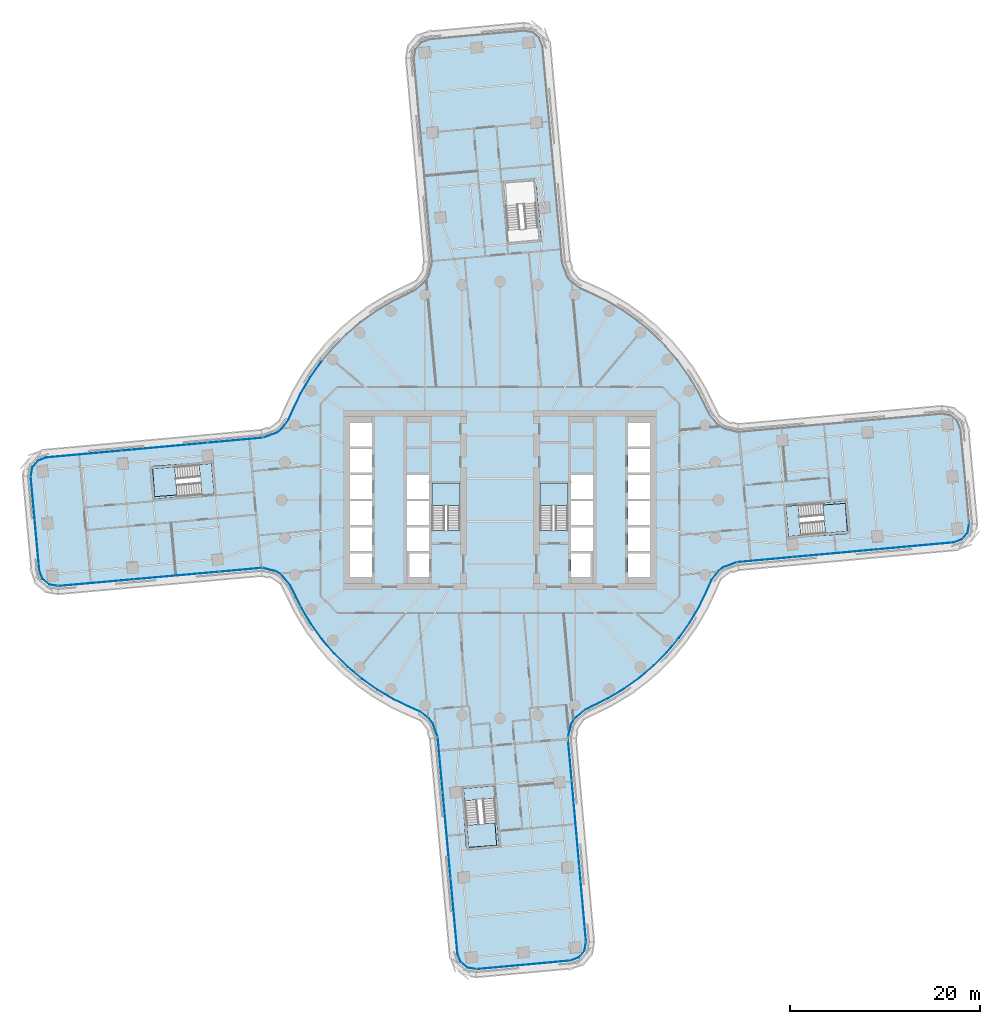
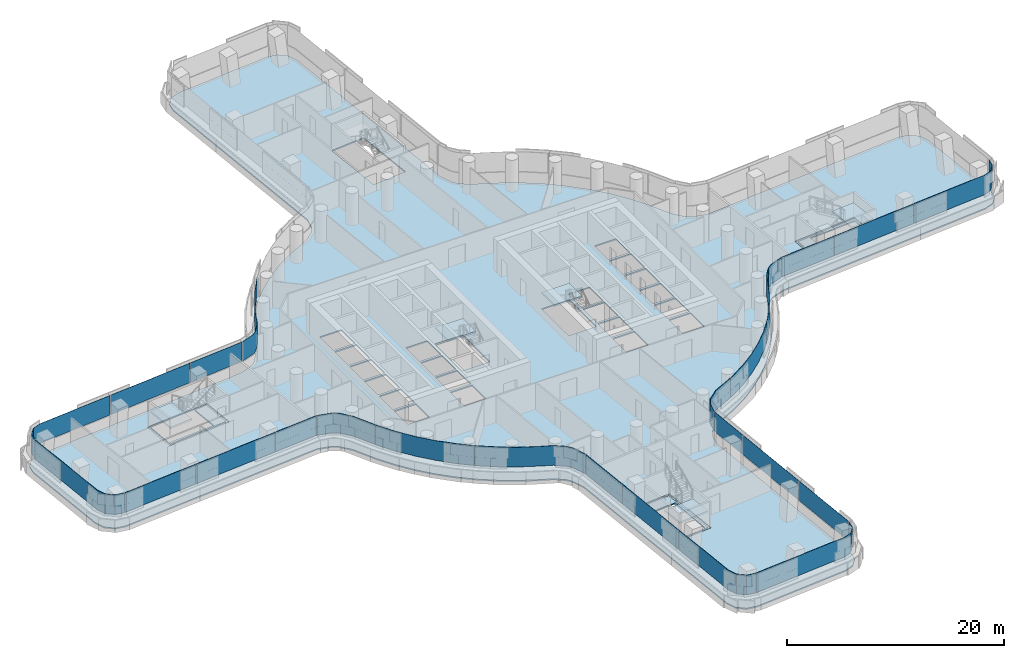
# One storey, part 17 of 31: 24 plates, 9 slabs, 15 elements without a shape of their own.
"""IFC4 building model written with IfcOpenShell, lengths in metres."""

from ifc_helpers import new_model, si_unit, direction, frame, origin, place, context, subcontext, project, spatial, polyline, outline, extrude, material, layer, layer_set, type_object, element, aggregate, save


model = new_model("IFC4")

# Units and contexts
model_context = context("Model", 3, precision=1e-05, world=origin(), true_north=direction((0.0, 1.0)))
body_context = subcontext(model_context, "Body", "Model", "MODEL_VIEW")
ifc_project = project(units=[si_unit("LENGTHUNIT", "METRE"), si_unit("AREAUNIT", "SQUARE_METRE"), si_unit("VOLUMEUNIT", "CUBIC_METRE"), si_unit("PLANEANGLEUNIT", "RADIAN"), si_unit("MASSUNIT", "GRAM", prefix="KILO")], contexts=[model_context])

# Site, building, storey
site_placement = place(None, origin())
site = spatial("IfcSite", under=ifc_project, at=site_placement, CompositionType="ELEMENT")
building_placement = place(site_placement, origin())
building = spatial("IfcBuilding", under=site, at=building_placement, Name="Tamarind Cross Interchange Tower", CompositionType="ELEMENT")
storey_placement = place(building_placement, frame((0.0, 0.0, 52.75)))
storey = spatial("IfcBuildingStorey", under=building, at=storey_placement, Name="L11", CompositionType="ELEMENT", Elevation=52.75)

# Slabs
ifc_material_1 = material(Name="Concrete C35", Category="concrete")
ifc_layer_1 = layer(ifc_material_1, 0.139892578125)
ifc_layer_set_1 = layer_set([ifc_layer_1], Name="Concrete C35")
slab_type_1 = type_object("IfcSlabType", Name="Composite slab 140 Concrete C35", PredefinedType="FLOOR", material=ifc_layer_set_1)
slab_1_placement = place(storey_placement, frame((0.0, 0.0, -0.139892578125)))
element("IfcSlab", 1, at=slab_1_placement, inside=storey, type_object=slab_type_1, Name="Floor slab L11", PredefinedType="FLOOR", context=body_context, shape_type="SweptSolid", body=[
    extrude(outline(polyline([(7.255615234375, 23.611328125), (6.753173828125, 25.02001953125), (4.669677734375, 47.806396484375), (4.311767578125, 48.778076171875), (3.51611328125, 49.440185546875), (2.495849609375, 49.6162109375), (-7.46240234375, 48.70556640625), (-8.43408203125, 48.34765625), (-9.09619140625, 47.552001953125), (-9.272216796875, 46.53173828125), (-7.35986328125, 25.053466796875), (-7.68408203125, 23.676513671875), (-8.008544921875, 23.151611328125), (-9.095703125, 22.24609375), (-9.7333984375, 21.93310546875), (-11.511474609375, 21.054443359375), (-13.2109375, 20.031982421875), (-14.820068359375, 18.87255859375), (-16.327880859375, 17.584228515625), (-17.72412109375, 16.17578125), (-18.99951171875, 14.656982421875), (-20.14501953125, 13.0380859375), (-21.15283203125, 11.329833984375), (-22.01611328125, 9.54443359375), (-22.444091796875, 8.55224609375), (-23.18310546875, 7.577880859375), (-23.611328125, 7.255615234375), (-25.02001953125, 6.753173828125), (-47.806396484375, 4.669677734375), (-48.778076171875, 4.311767578125), (-49.440185546875, 3.51611328125), (-49.6162109375, 2.495849609375), (-48.70556640625, -7.46240234375), (-48.34765625, -8.43408203125), (-47.552001953125, -9.09619140625), (-46.53173828125, -9.272216796875), (-25.053466796875, -7.35986328125), (-23.676513671875, -7.68408203125), (-23.151611328125, -8.008544921875), (-22.24609375, -9.095703125), (-21.93310546875, -9.7333984375), (-21.054443359375, -11.511474609375), (-20.031982421875, -13.2109375), (-18.87255859375, -14.820068359375), (-17.584228515625, -16.327880859375), (-16.17578125, -17.72412109375), (-14.656982421875, -18.99951171875), (-13.0380859375, -20.14501953125), (-11.329833984375, -21.15283203125), (-9.54443359375, -22.01611328125), (-8.55224609375, -22.444091796875), (-7.577880859375, -23.18310546875), (-7.255615234375, -23.611328125), (-6.753173828125, -25.02001953125), (-4.669677734375, -47.806396484375), (-4.311767578125, -48.778076171875), (-3.51611328125, -49.440185546875), (-2.495849609375, -49.6162109375), (7.46240234375, -48.70556640625), (8.43408203125, -48.34765625), (9.09619140625, -47.552001953125), (9.272216796875, -46.53173828125), (7.35986328125, -25.053466796875), (7.68408203125, -23.676513671875), (8.008544921875, -23.151611328125), (9.095703125, -22.24609375), (9.7333984375, -21.93310546875), (11.511474609375, -21.054443359375), (13.2109375, -20.031982421875), (14.820068359375, -18.87255859375), (16.327880859375, -17.584228515625), (17.72412109375, -16.17578125), (18.99951171875, -14.656982421875), (20.14501953125, -13.0380859375), (21.15283203125, -11.329833984375), (22.01611328125, -9.54443359375), (22.444091796875, -8.55224609375), (23.18310546875, -7.577880859375), (23.611328125, -7.255615234375), (25.02001953125, -6.753173828125), (47.806396484375, -4.669677734375), (48.778076171875, -4.311767578125), (49.440185546875, -3.51611328125), (49.6162109375, -2.495849609375), (48.70556640625, 7.46240234375), (48.34765625, 8.43408203125), (47.552001953125, 9.09619140625), (46.53173828125, 9.272216796875), (25.053466796875, 7.35986328125), (23.676513671875, 7.68408203125), (23.151611328125, 8.008544921875), (22.24609375, 9.095703125), (21.93310546875, 9.7333984375), (21.054443359375, 11.511474609375), (20.031982421875, 13.2109375), (18.87255859375, 14.820068359375), (17.584228515625, 16.327880859375), (16.17578125, 17.72412109375), (14.656982421875, 18.99951171875), (13.0380859375, 20.14501953125), (11.329833984375, 21.15283203125), (9.54443359375, 22.01611328125), (8.55224609375, 22.444091796875), (7.577880859375, 23.18310546875), (7.255615234375, 23.611328125)]), holes=[polyline([(-13.5, -8.125), (-15.800048828125, -8.125), (-15.800048828125, -5.625), (-13.5, -5.625), (-13.5, -8.125)]), polyline([(-13.5, -5.375), (-15.800048828125, -5.375), (-15.800048828125, -2.875), (-13.5, -2.875), (-13.5, -5.375)]), polyline([(-7.5, -5.375), (-9.800048828125, -5.375), (-9.800048828125, -2.875), (-7.5, -2.875), (-7.5, -5.375)]), polyline([(-15.800048828125, -2.625), (-15.800048828125, -0.125), (-13.5, -0.125), (-13.5, -2.625), (-15.800048828125, -2.625)]), polyline([(-9.800048828125, -2.625), (-9.800048828125, -0.125), (-7.5, -0.125), (-7.5, -2.625), (-9.800048828125, -2.625)]), polyline([(-29.876953125, 0.48486328125), (-36.549072265625, -0.125244140625), (-36.567138671875, 0.073974609375), (-36.858642578125, 3.2607421875), (-36.876708984375, 3.459716796875), (-36.5927734375, 3.48583984375), (-36.59716796875, 3.545654296875), (-33.31640625, 3.785400390625), (-30.20458984375, 4.06982421875), (-30.186279296875, 3.87060546875), (-29.89501953125, 0.68408203125), (-29.876953125, 0.48486328125)]), polyline([(-13.5, 0.125), (-15.800048828125, 0.125), (-15.800048828125, 2.625), (-13.5, 2.625), (-13.5, 0.125)]), polyline([(-7.5, 0.125), (-9.800048828125, 0.125), (-9.800048828125, 2.625), (-7.5, 2.625), (-7.5, 0.125)]), polyline([(-13.5, 2.875), (-15.800048828125, 2.875), (-15.800048828125, 5.375), (-13.5, 5.375), (-13.5, 2.875)]), polyline([(-15.800048828125, 5.625), (-15.800048828125, 8.125), (-13.5, 8.125), (-13.5, 5.625), (-15.800048828125, 5.625)]), polyline([(-4.06982421875, -30.20458984375), (-3.87060546875, -30.186279296875), (-0.68408203125, -29.89501953125), (-0.48486328125, -29.876953125), (0.125244140625, -36.549072265625), (-0.073974609375, -36.567138671875), (-3.2607421875, -36.858642578125), (-3.459716796875, -36.876708984375), (-3.48583984375, -36.5927734375), (-3.545654296875, -36.59716796875), (-3.785400390625, -33.31640625), (-4.06982421875, -30.20458984375)]), polyline([(-9.800048828125, -8.125), (-9.800048828125, -5.625), (-7.5, -5.625), (-7.5, -8.125), (-9.800048828125, -8.125)]), polyline([(9.800048828125, -2.875), (9.800048828125, -5.375), (7.5, -5.375), (7.5, -2.875), (9.800048828125, -2.875)]), polyline([(-4.199951171875, 1.800048828125), (-4.199951171875, -3.18798828125), (-7.14990234375, -3.18798828125), (-7.14990234375, 1.800048828125), (-4.199951171875, 1.800048828125)]), polyline([(7.14990234375, 1.800048828125), (7.14990234375, -3.18798828125), (4.199951171875, -3.18798828125), (4.199951171875, 1.800048828125), (7.14990234375, 1.800048828125)]), polyline([(0.14794921875, 33.5615234375), (0.34716796875, 33.57958984375), (3.53369140625, 33.87109375), (3.73291015625, 33.889404296875), (3.759033203125, 33.604736328125), (3.764404296875, 33.605224609375), (3.785400390625, 33.31640625), (4.343017578125, 27.217041015625), (4.143798828125, 27.198974609375), (0.95703125, 26.907470703125), (0.758056640625, 26.889404296875), (0.14794921875, 33.5615234375)]), polyline([(7.5, -5.625), (9.800048828125, -5.625), (9.800048828125, -8.125), (7.5, -8.125), (7.5, -5.625)]), polyline([(15.800048828125, -5.625), (15.800048828125, -8.125), (13.5, -8.125), (13.5, -5.625), (15.800048828125, -5.625)]), polyline([(15.800048828125, -2.875), (15.800048828125, -5.375), (13.5, -5.375), (13.5, -2.875), (15.800048828125, -2.875)]), polyline([(33.31640625, -3.785400390625), (30.20458984375, -4.06982421875), (30.186279296875, -3.87060546875), (29.89501953125, -0.68408203125), (29.876953125, -0.48486328125), (36.549072265625, 0.125244140625), (36.567138671875, -0.073974609375), (36.858642578125, -3.2607421875), (36.876708984375, -3.459716796875), (36.5927734375, -3.48583984375), (36.59716796875, -3.545654296875), (33.31640625, -3.785400390625)]), polyline([(9.800048828125, -0.125), (9.800048828125, -2.625), (7.5, -2.625), (7.5, -0.125), (9.800048828125, -0.125)]), polyline([(13.5, -0.125), (15.800048828125, -0.125), (15.800048828125, -2.625), (13.5, -2.625), (13.5, -0.125)]), polyline([(9.800048828125, 2.625), (9.800048828125, 0.125), (7.5, 0.125), (7.5, 2.625), (9.800048828125, 2.625)]), polyline([(13.5, 2.625), (15.800048828125, 2.625), (15.800048828125, 0.125), (13.5, 0.125), (13.5, 2.625)]), polyline([(15.800048828125, 5.375), (15.800048828125, 2.875), (13.5, 2.875), (13.5, 5.375), (15.800048828125, 5.375)]), polyline([(15.800048828125, 8.125), (15.800048828125, 5.625), (13.5, 5.625), (13.5, 8.125), (15.800048828125, 8.125)])]), origin(), (0.0, 0.0, 1.0), 0.139892578125),
])
slab_2_placement = place(storey_placement, frame((0.0, 0.0, -0.139892578125)))
element("IfcSlab", 2, at=slab_2_placement, inside=storey, type_object=slab_type_1, Name="Floor slab L11", PredefinedType="FLOOR", context=body_context, shape_type="SweptSolid", body=[
    extrude(outline(polyline([(-36.659423828125, 3.27880859375), (-36.3681640625, 0.09228515625), (-30.09423828125, 0.665771484375), (-30.385498046875, 3.8525390625), (-31.610107421875, 3.740478515625), (-31.692138671875, 3.73291015625), (-31.416259765625, 0.7158203125), (-36.364013671875, 0.35400390625), (-36.578369140625, 3.286376953125), (-36.659423828125, 3.27880859375)])), origin(), (0.0, 0.0, 1.0), 0.139892578125),
])
slab_3_placement = place(storey_placement, frame((0.0, 0.0, -0.139892578125)))
element("IfcSlab", 3, at=slab_3_placement, inside=storey, type_object=slab_type_1, Name="Floor slab L11", PredefinedType="FLOOR", context=body_context, shape_type="SweptSolid", body=[
    extrude(outline(polyline([(-3.27880859375, -36.659423828125), (-0.09228515625, -36.3681640625), (-0.665771484375, -30.09423828125), (-3.8525390625, -30.385498046875), (-3.740478515625, -31.610107421875), (-3.73291015625, -31.692138671875), (-0.7158203125, -31.416259765625), (-0.35400390625, -36.364013671875), (-3.286376953125, -36.578369140625), (-3.27880859375, -36.659423828125)])), origin(), (0.0, 0.0, 1.0), 0.139892578125),
])
slab_4_placement = place(storey_placement, frame((0.0, 0.0, -0.139892578125)))
element("IfcSlab", 4, at=slab_4_placement, inside=storey, type_object=slab_type_1, Name="Floor slab L11", PredefinedType="FLOOR", context=body_context, shape_type="SweptSolid", body=[
    extrude(outline(polyline([(36.659423828125, -3.27880859375), (36.3681640625, -0.09228515625), (30.09423828125, -0.665771484375), (30.385498046875, -3.8525390625), (31.610107421875, -3.740478515625), (31.692138671875, -3.73291015625), (31.416259765625, -0.7158203125), (36.364013671875, -0.35400390625), (36.578369140625, -3.286376953125), (36.659423828125, -3.27880859375)])), origin(), (0.0, 0.0, 1.0), 0.139892578125),
])

# Stair, slab
ifc_material_2 = material(Name="Exit stair")
stair_type = type_object("IfcStairType", Name="Exit stair", PredefinedType="HALF_TURN_STAIR", material=ifc_material_2)
stair_1_placement = place(storey_placement, origin())
stair_1 = element("IfcStair", 5, at=stair_1_placement, inside=storey, type_object=stair_type, Name="L11 exit stair ST1", PredefinedType="HALF_TURN_STAIR")
ifc_material_3 = material(Name="Concrete C40", Category="concrete")
ifc_layer_2 = layer(ifc_material_3, 0.199951171875)
ifc_layer_set_2 = layer_set([ifc_layer_2], Name="Concrete C40")
slab_type_2 = type_object("IfcSlabType", Name="Stair landing", PredefinedType="LANDING", material=ifc_layer_set_2)
slab_5_placement = place(storey_placement, frame((0.0, 0.0, 1.675048828125)))
slab_5 = element("IfcSlab", 6, at=slab_5_placement, type_object=slab_type_2, Name="ST1 landing 1", PredefinedType="LANDING", context=body_context, shape_type="SweptSolid", body=[
    extrude(outline(polyline([(-4.199951171875, -0.60009765625), (-4.199951171875, 1.800048828125), (-7.14990234375, 1.800048828125), (-7.14990234375, -0.60009765625), (-4.199951171875, -0.60009765625)])), origin(), (0.0, 0.0, 1.0), 0.199951171875),
])
aggregate(stair_1, [slab_5])

stair_2_placement = place(storey_placement, origin())
stair_2 = element("IfcStair", 7, at=stair_2_placement, inside=storey, type_object=stair_type, Name="L11 exit stair ST2", PredefinedType="HALF_TURN_STAIR")
slab_6_placement = place(storey_placement, frame((0.0, 0.0, 1.675048828125)))
slab_6 = element("IfcSlab", 8, at=slab_6_placement, type_object=slab_type_2, Name="ST2 landing 1", PredefinedType="LANDING", context=body_context, shape_type="SweptSolid", body=[
    extrude(outline(polyline([(7.14990234375, -0.60009765625), (7.14990234375, 1.800048828125), (4.199951171875, 1.800048828125), (4.199951171875, -0.60009765625), (7.14990234375, -0.60009765625)])), origin(), (0.0, 0.0, 1.0), 0.199951171875),
])
aggregate(stair_2, [slab_6])

stair_3_placement = place(storey_placement, origin())
stair_3 = element("IfcStair", 9, at=stair_3_placement, inside=storey, type_object=stair_type, Name="L11 exit stair ST3", PredefinedType="HALF_TURN_STAIR")
slab_7_placement = place(storey_placement, frame((0.0, 0.0, 1.675048828125)))
slab_7 = element("IfcSlab", 10, at=slab_7_placement, type_object=slab_type_2, Name="ST3 landing 1", PredefinedType="LANDING", context=body_context, shape_type="SweptSolid", body=[
    extrude(outline(polyline([(34.257568359375, -3.49853515625), (36.659423828125, -3.27880859375), (36.3681640625, -0.09228515625), (33.966064453125, -0.311767578125), (34.257568359375, -3.49853515625)])), origin(), (0.0, 0.0, 1.0), 0.199951171875),
])
aggregate(stair_3, [slab_7])

stair_4_placement = place(storey_placement, origin())
stair_4 = element("IfcStair", 11, at=stair_4_placement, inside=storey, type_object=stair_type, Name="L11 exit stair ST5", PredefinedType="HALF_TURN_STAIR")
slab_8_placement = place(storey_placement, frame((0.0, 0.0, 1.675048828125)))
slab_8 = element("IfcSlab", 12, at=slab_8_placement, type_object=slab_type_2, Name="ST5 landing 1", PredefinedType="LANDING", context=body_context, shape_type="SweptSolid", body=[
    extrude(outline(polyline([(-34.257568359375, 3.49853515625), (-36.659423828125, 3.27880859375), (-36.3681640625, 0.09228515625), (-33.966064453125, 0.311767578125), (-34.257568359375, 3.49853515625)])), origin(), (0.0, 0.0, 1.0), 0.199951171875),
])
aggregate(stair_4, [slab_8])

stair_5_placement = place(storey_placement, origin())
stair_5 = element("IfcStair", 13, at=stair_5_placement, inside=storey, type_object=stair_type, Name="L11 exit stair ST6", PredefinedType="HALF_TURN_STAIR")
slab_9_placement = place(storey_placement, frame((0.0, 0.0, 1.675048828125)))
slab_9 = element("IfcSlab", 14, at=slab_9_placement, type_object=slab_type_2, Name="ST6 landing 1", PredefinedType="LANDING", context=body_context, shape_type="SweptSolid", body=[
    extrude(outline(polyline([(-3.49853515625, -34.257568359375), (-3.27880859375, -36.659423828125), (-0.09228515625, -36.3681640625), (-0.311767578125, -33.966064453125), (-3.49853515625, -34.257568359375)])), origin(), (0.0, 0.0, 1.0), 0.199951171875),
])
aggregate(stair_5, [slab_9])

# Curtain wall, plate
ifc_material_4 = material(Name="Aluminium 6063-T6", Category="aluminium")
ifc_layer_3 = layer(ifc_material_4, 0.159912109375)
ifc_layer_set_3 = layer_set([ifc_layer_3], Name="Aluminium 6063-T6")
curtain_wall_type = type_object("IfcCurtainWallType", Name="Office curtain wall, 9.0 m bays", PredefinedType="NOTDEFINED", material=ifc_layer_set_3)
curtain_wall_1_placement = place(storey_placement, origin())
curtain_wall_1 = element("IfcCurtainWall", 15, at=curtain_wall_1_placement, inside=storey, type_object=curtain_wall_type, Name="CWS-L11-02", PredefinedType="NOTDEFINED")
ifc_material_5 = material(Name="Laminated low-e glass 8+1.52+8", Category="glass")
ifc_layer_4 = layer(ifc_material_5, 0.028076171875)
ifc_layer_set_4 = layer_set([ifc_layer_4], Name="Laminated low-e glass 8+1.52+8")
plate_type = type_object("IfcPlateType", Name="Vision panel CW1", PredefinedType="CURTAIN_PANEL", material=ifc_layer_set_4)
plate_1_placement = place(storey_placement, frame((0.0, 0.0, 1.39990234375)))
plate_1 = element("IfcPlate", 16, at=plate_1_placement, type_object=plate_type, Name="CWP-L11-02-02", PredefinedType="CURTAIN_PANEL", context=body_context, shape_type="SweptSolid", body=[
    extrude(outline(polyline([(-18.668701171875, 14.718017578125), (-18.829833984375, 14.526123046875), (-19.965087890625, 12.921630859375), (-20.9638671875, 11.228759765625), (-21.821533203125, 9.455322265625), (-22.2578125, 8.443603515625), (-23.030517578125, 7.4248046875), (-23.5087890625, 7.06494140625), (-24.943603515625, 6.55322265625), (-24.952880859375, 6.57958984375), (-23.522216796875, 7.08984375), (-23.050537109375, 7.44482421875), (-22.2822265625, 8.457763671875), (-21.846923828125, 9.467041015625), (-20.98876953125, 11.241943359375), (-19.988525390625, 12.936767578125), (-18.85205078125, 14.543212890625), (-18.690185546875, 14.736083984375), (-18.668701171875, 14.718017578125)])), origin(), (0.0, 0.0, 1.0), 2.210205078125),
])
aggregate(curtain_wall_1, [plate_1])

# Curtain wall, plates
curtain_wall_2_placement = place(storey_placement, origin())
curtain_wall_2 = element("IfcCurtainWall", 17, at=curtain_wall_2_placement, inside=storey, type_object=curtain_wall_type, Name="CWS-L11-03", PredefinedType="NOTDEFINED")
plate_2_placement = place(storey_placement, frame((0.0, 0.0, 1.39990234375)))
plate_2 = element("IfcPlate", 18, at=plate_2_placement, type_object=plate_type, Name="CWP-L11-03-00", PredefinedType="CURTAIN_PANEL", context=body_context, shape_type="SweptSolid", body=[
    extrude(outline(polyline([(-25.005126953125, 6.53955078125), (-30.828125, 6.007080078125), (-30.83056640625, 6.03515625), (-25.007568359375, 6.5673828125), (-25.005126953125, 6.53955078125)])), origin(), (0.0, 0.0, 1.0), 2.210205078125),
])
plate_3_placement = place(storey_placement, frame((0.0, 0.0, 1.39990234375)))
plate_3 = element("IfcPlate", 19, at=plate_3_placement, type_object=plate_type, Name="CWP-L11-03-01", PredefinedType="CURTAIN_PANEL", context=body_context, shape_type="SweptSolid", body=[
    extrude(outline(polyline([(-30.887939453125, 6.001708984375), (-39.790283203125, 5.187744140625), (-39.792724609375, 5.215576171875), (-30.890380859375, 6.029541015625), (-30.887939453125, 6.001708984375)])), origin(), (0.0, 0.0, 1.0), 2.210205078125),
])
plate_4_placement = place(storey_placement, frame((0.0, 0.0, 1.39990234375)))
plate_4 = element("IfcPlate", 20, at=plate_4_placement, type_object=plate_type, Name="CWP-L11-03-02", PredefinedType="CURTAIN_PANEL", context=body_context, shape_type="SweptSolid", body=[
    extrude(outline(polyline([(-39.85009765625, 5.182373046875), (-47.759033203125, 4.459228515625), (-48.650146484375, 4.130859375), (-49.2392578125, 3.42333984375), (-49.395751953125, 2.51513671875), (-49.42333984375, 2.519775390625), (-49.265380859375, 3.435546875), (-48.6669921875, 4.154541015625), (-47.76513671875, 4.48681640625), (-39.8525390625, 5.210205078125), (-39.85009765625, 5.182373046875)])), origin(), (0.0, 0.0, 1.0), 2.210205078125),
])
aggregate(curtain_wall_2, [plate_2, plate_3, plate_4])

# Curtain wall, plate
curtain_wall_3_placement = place(storey_placement, origin())
curtain_wall_3 = element("IfcCurtainWall", 21, at=curtain_wall_3_placement, inside=storey, type_object=curtain_wall_type, Name="CWS-L11-04", PredefinedType="NOTDEFINED")
plate_5_placement = place(storey_placement, frame((0.0, 0.0, 1.39990234375)))
plate_5 = element("IfcPlate", 22, at=plate_5_placement, type_object=plate_type, Name="CWP-L11-04-00", PredefinedType="CURTAIN_PANEL", context=body_context, shape_type="SweptSolid", body=[
    extrude(outline(polyline([(-49.39794921875, 2.459228515625), (-48.4951171875, -7.4150390625), (-48.166748046875, -8.30615234375), (-47.459228515625, -8.895263671875), (-46.55078125, -9.0517578125), (-46.555419921875, -9.079345703125), (-47.471435546875, -8.92138671875), (-48.1904296875, -8.322998046875), (-48.522705078125, -7.421142578125), (-49.42578125, 2.456787109375), (-49.39794921875, 2.459228515625)])), origin(), (0.0, 0.0, 1.0), 2.210205078125),
])
aggregate(curtain_wall_3, [plate_5])

# Curtain wall, plates
curtain_wall_4_placement = place(storey_placement, origin())
curtain_wall_4 = element("IfcCurtainWall", 23, at=curtain_wall_4_placement, inside=storey, type_object=curtain_wall_type, Name="CWS-L11-05", PredefinedType="NOTDEFINED")
plate_6_placement = place(storey_placement, frame((0.0, 0.0, 1.39990234375)))
plate_6 = element("IfcPlate", 24, at=plate_6_placement, type_object=plate_type, Name="CWP-L11-05-00", PredefinedType="CURTAIN_PANEL", context=body_context, shape_type="SweptSolid", body=[
    extrude(outline(polyline([(-46.494873046875, -9.053955078125), (-38.609619140625, -8.35205078125), (-38.607177734375, -8.3798828125), (-46.492431640625, -9.081787109375), (-46.494873046875, -9.053955078125)])), origin(), (0.0, 0.0, 1.0), 2.210205078125),
])
plate_7_placement = place(storey_placement, frame((0.0, 0.0, 1.39990234375)))
plate_7 = element("IfcPlate", 25, at=plate_7_placement, type_object=plate_type, Name="CWP-L11-05-01", PredefinedType="CURTAIN_PANEL", context=body_context, shape_type="SweptSolid", body=[
    extrude(outline(polyline([(-38.550048828125, -8.3466796875), (-29.642578125, -7.553466796875), (-29.64013671875, -7.58154296875), (-38.54736328125, -8.37451171875), (-38.550048828125, -8.3466796875)])), origin(), (0.0, 0.0, 1.0), 2.210205078125),
])
plate_8_placement = place(storey_placement, frame((0.0, 0.0, 1.39990234375)))
plate_8 = element("IfcPlate", 26, at=plate_8_placement, type_object=plate_type, Name="CWP-L11-05-02", PredefinedType="CURTAIN_PANEL", context=body_context, shape_type="SweptSolid", body=[
    extrude(outline(polyline([(-29.582763671875, -7.54833984375), (-25.070068359375, -7.146484375), (-25.067626953125, -7.17431640625), (-29.580322265625, -7.576171875), (-29.582763671875, -7.54833984375)])), origin(), (0.0, 0.0, 1.0), 2.210205078125),
])
aggregate(curtain_wall_4, [plate_6, plate_7, plate_8])

curtain_wall_5_placement = place(storey_placement, origin())
curtain_wall_5 = element("IfcCurtainWall", 27, at=curtain_wall_5_placement, inside=storey, type_object=curtain_wall_type, Name="CWS-L11-06", PredefinedType="NOTDEFINED")
plate_9_placement = place(storey_placement, frame((0.0, 0.0, 1.39990234375)))
plate_9 = element("IfcPlate", 28, at=plate_9_placement, type_object=plate_type, Name="CWP-L11-06-00", PredefinedType="CURTAIN_PANEL", context=body_context, shape_type="SweptSolid", body=[
    extrude(outline(polyline([(-25.006591796875, -7.15087890625), (-23.593505859375, -7.48388671875), (-23.009521484375, -7.844970703125), (-22.0654296875, -8.978271484375), (-21.7412109375, -9.638916015625), (-21.002685546875, -11.133056640625), (-21.02783203125, -11.1455078125), (-21.766357421875, -9.6513671875), (-22.089111328125, -8.99365234375), (-23.028076171875, -7.866455078125), (-23.6044921875, -7.510009765625), (-25.012939453125, -7.17822265625), (-25.006591796875, -7.15087890625)])), origin(), (0.0, 0.0, 1.0), 2.210205078125),
])
plate_10_placement = place(storey_placement, frame((0.0, 0.0, 1.39990234375)))
plate_10 = element("IfcPlate", 29, at=plate_10_placement, type_object=plate_type, Name="CWP-L11-06-01", PredefinedType="CURTAIN_PANEL", context=body_context, shape_type="SweptSolid", body=[
    extrude(outline(polyline([(-20.976318359375, -11.186767578125), (-20.866455078125, -11.40869140625), (-19.85302734375, -13.093017578125), (-18.7041015625, -14.687744140625), (-17.42724609375, -16.18212890625), (-16.031494140625, -17.56591796875), (-14.76416015625, -18.630126953125), (-14.781982421875, -18.651611328125), (-16.05029296875, -17.586669921875), (-17.44775390625, -16.201171875), (-18.72607421875, -14.705078125), (-19.87646484375, -13.1083984375), (-20.89111328125, -11.422119140625), (-21.001220703125, -11.19921875), (-20.976318359375, -11.186767578125)])), origin(), (0.0, 0.0, 1.0), 2.210205078125),
])
plate_11_placement = place(storey_placement, frame((0.0, 0.0, 1.39990234375)))
plate_11 = element("IfcPlate", 30, at=plate_11_placement, type_object=plate_type, Name="CWP-L11-06-02", PredefinedType="CURTAIN_PANEL", context=body_context, shape_type="SweptSolid", body=[
    extrude(outline(polyline([(-14.718017578125, -18.668701171875), (-14.526123046875, -18.829833984375), (-12.921630859375, -19.965087890625), (-11.228759765625, -20.9638671875), (-9.455322265625, -21.821533203125), (-8.443603515625, -22.2578125), (-7.4248046875, -23.030517578125), (-7.06494140625, -23.5087890625), (-6.55322265625, -24.943603515625), (-6.57958984375, -24.952880859375), (-7.08984375, -23.522216796875), (-7.44482421875, -23.050537109375), (-8.457763671875, -22.2822265625), (-9.467041015625, -21.846923828125), (-11.241943359375, -20.98876953125), (-12.936767578125, -19.988525390625), (-14.543212890625, -18.85205078125), (-14.736083984375, -18.690185546875), (-14.718017578125, -18.668701171875)])), origin(), (0.0, 0.0, 1.0), 2.210205078125),
])
aggregate(curtain_wall_5, [plate_9, plate_10, plate_11])

curtain_wall_6_placement = place(storey_placement, origin())
curtain_wall_6 = element("IfcCurtainWall", 31, at=curtain_wall_6_placement, inside=storey, type_object=curtain_wall_type, Name="CWS-L11-07", PredefinedType="NOTDEFINED")
plate_12_placement = place(storey_placement, frame((0.0, 0.0, 1.39990234375)))
plate_12 = element("IfcPlate", 32, at=plate_12_placement, type_object=plate_type, Name="CWP-L11-07-00", PredefinedType="CURTAIN_PANEL", context=body_context, shape_type="SweptSolid", body=[
    extrude(outline(polyline([(-6.53955078125, -25.005126953125), (-6.007080078125, -30.828125), (-6.03515625, -30.83056640625), (-6.5673828125, -25.007568359375), (-6.53955078125, -25.005126953125)])), origin(), (0.0, 0.0, 1.0), 2.210205078125),
])
plate_13_placement = place(storey_placement, frame((0.0, 0.0, 1.39990234375)))
plate_13 = element("IfcPlate", 33, at=plate_13_placement, type_object=plate_type, Name="CWP-L11-07-01", PredefinedType="CURTAIN_PANEL", context=body_context, shape_type="SweptSolid", body=[
    extrude(outline(polyline([(-6.001708984375, -30.887939453125), (-5.187744140625, -39.790283203125), (-5.215576171875, -39.792724609375), (-6.029541015625, -30.890380859375), (-6.001708984375, -30.887939453125)])), origin(), (0.0, 0.0, 1.0), 2.210205078125),
])
plate_14_placement = place(storey_placement, frame((0.0, 0.0, 1.39990234375)))
plate_14 = element("IfcPlate", 34, at=plate_14_placement, type_object=plate_type, Name="CWP-L11-07-02", PredefinedType="CURTAIN_PANEL", context=body_context, shape_type="SweptSolid", body=[
    extrude(outline(polyline([(-5.182373046875, -39.85009765625), (-4.459228515625, -47.759033203125), (-4.130859375, -48.650146484375), (-3.42333984375, -49.2392578125), (-2.51513671875, -49.395751953125), (-2.519775390625, -49.42333984375), (-3.435546875, -49.265380859375), (-4.154541015625, -48.6669921875), (-4.48681640625, -47.76513671875), (-5.210205078125, -39.8525390625), (-5.182373046875, -39.85009765625)])), origin(), (0.0, 0.0, 1.0), 2.210205078125),
])
aggregate(curtain_wall_6, [plate_12, plate_13, plate_14])

# Curtain wall, plate
curtain_wall_7_placement = place(storey_placement, origin())
curtain_wall_7 = element("IfcCurtainWall", 35, at=curtain_wall_7_placement, inside=storey, type_object=curtain_wall_type, Name="CWS-L11-08", PredefinedType="NOTDEFINED")
plate_15_placement = place(storey_placement, frame((0.0, 0.0, 1.39990234375)))
plate_15 = element("IfcPlate", 36, at=plate_15_placement, type_object=plate_type, Name="CWP-L11-08-00", PredefinedType="CURTAIN_PANEL", context=body_context, shape_type="SweptSolid", body=[
    extrude(outline(polyline([(-2.459228515625, -49.39794921875), (7.4150390625, -48.4951171875), (8.30615234375, -48.166748046875), (8.895263671875, -47.459228515625), (9.0517578125, -46.55078125), (9.079345703125, -46.555419921875), (8.92138671875, -47.471435546875), (8.322998046875, -48.1904296875), (7.421142578125, -48.522705078125), (-2.456787109375, -49.42578125), (-2.459228515625, -49.39794921875)])), origin(), (0.0, 0.0, 1.0), 2.210205078125),
])
aggregate(curtain_wall_7, [plate_15])

# Curtain wall, plates
curtain_wall_8_placement = place(storey_placement, origin())
curtain_wall_8 = element("IfcCurtainWall", 37, at=curtain_wall_8_placement, inside=storey, type_object=curtain_wall_type, Name="CWS-L11-09", PredefinedType="NOTDEFINED")
plate_16_placement = place(storey_placement, frame((0.0, 0.0, 1.39990234375)))
plate_16 = element("IfcPlate", 38, at=plate_16_placement, type_object=plate_type, Name="CWP-L11-09-00", PredefinedType="CURTAIN_PANEL", context=body_context, shape_type="SweptSolid", body=[
    extrude(outline(polyline([(9.053955078125, -46.494873046875), (8.35205078125, -38.609619140625), (8.3798828125, -38.607177734375), (9.081787109375, -46.492431640625), (9.053955078125, -46.494873046875)])), origin(), (0.0, 0.0, 1.0), 2.210205078125),
])
plate_17_placement = place(storey_placement, frame((0.0, 0.0, 1.39990234375)))
plate_17 = element("IfcPlate", 39, at=plate_17_placement, type_object=plate_type, Name="CWP-L11-09-01", PredefinedType="CURTAIN_PANEL", context=body_context, shape_type="SweptSolid", body=[
    extrude(outline(polyline([(8.3466796875, -38.550048828125), (7.553466796875, -29.642578125), (7.58154296875, -29.64013671875), (8.37451171875, -38.54736328125), (8.3466796875, -38.550048828125)])), origin(), (0.0, 0.0, 1.0), 2.210205078125),
])
plate_18_placement = place(storey_placement, frame((0.0, 0.0, 1.39990234375)))
plate_18 = element("IfcPlate", 40, at=plate_18_placement, type_object=plate_type, Name="CWP-L11-09-02", PredefinedType="CURTAIN_PANEL", context=body_context, shape_type="SweptSolid", body=[
    extrude(outline(polyline([(7.54833984375, -29.582763671875), (7.146484375, -25.070068359375), (7.17431640625, -25.067626953125), (7.576171875, -29.580322265625), (7.54833984375, -29.582763671875)])), origin(), (0.0, 0.0, 1.0), 2.210205078125),
])
aggregate(curtain_wall_8, [plate_16, plate_17, plate_18])

curtain_wall_9_placement = place(storey_placement, origin())
curtain_wall_9 = element("IfcCurtainWall", 41, at=curtain_wall_9_placement, inside=storey, type_object=curtain_wall_type, Name="CWS-L11-10", PredefinedType="NOTDEFINED")
plate_19_placement = place(storey_placement, frame((0.0, 0.0, 1.39990234375)))
plate_19 = element("IfcPlate", 42, at=plate_19_placement, type_object=plate_type, Name="CWP-L11-10-00", PredefinedType="CURTAIN_PANEL", context=body_context, shape_type="SweptSolid", body=[
    extrude(outline(polyline([(7.15087890625, -25.006591796875), (7.48388671875, -23.593505859375), (7.844970703125, -23.009521484375), (8.978271484375, -22.0654296875), (9.638916015625, -21.7412109375), (11.133056640625, -21.002685546875), (11.1455078125, -21.02783203125), (9.6513671875, -21.766357421875), (8.99365234375, -22.089111328125), (7.866455078125, -23.028076171875), (7.510009765625, -23.6044921875), (7.17822265625, -25.012939453125), (7.15087890625, -25.006591796875)])), origin(), (0.0, 0.0, 1.0), 2.210205078125),
])
plate_20_placement = place(storey_placement, frame((0.0, 0.0, 1.39990234375)))
plate_20 = element("IfcPlate", 43, at=plate_20_placement, type_object=plate_type, Name="CWP-L11-10-01", PredefinedType="CURTAIN_PANEL", context=body_context, shape_type="SweptSolid", body=[
    extrude(outline(polyline([(11.186767578125, -20.976318359375), (11.40869140625, -20.866455078125), (13.093017578125, -19.85302734375), (14.687744140625, -18.7041015625), (16.18212890625, -17.42724609375), (17.56591796875, -16.031494140625), (18.630126953125, -14.76416015625), (18.651611328125, -14.781982421875), (17.586669921875, -16.05029296875), (16.201171875, -17.44775390625), (14.705078125, -18.72607421875), (13.1083984375, -19.87646484375), (11.422119140625, -20.89111328125), (11.19921875, -21.001220703125), (11.186767578125, -20.976318359375)])), origin(), (0.0, 0.0, 1.0), 2.210205078125),
])
plate_21_placement = place(storey_placement, frame((0.0, 0.0, 1.39990234375)))
plate_21 = element("IfcPlate", 44, at=plate_21_placement, type_object=plate_type, Name="CWP-L11-10-02", PredefinedType="CURTAIN_PANEL", context=body_context, shape_type="SweptSolid", body=[
    extrude(outline(polyline([(18.668701171875, -14.718017578125), (18.829833984375, -14.526123046875), (19.965087890625, -12.921630859375), (20.9638671875, -11.228759765625), (21.821533203125, -9.455322265625), (22.2578125, -8.443603515625), (23.030517578125, -7.4248046875), (23.5087890625, -7.06494140625), (24.943603515625, -6.55322265625), (24.952880859375, -6.57958984375), (23.522216796875, -7.08984375), (23.050537109375, -7.44482421875), (22.2822265625, -8.457763671875), (21.846923828125, -9.467041015625), (20.98876953125, -11.241943359375), (19.988525390625, -12.936767578125), (18.85205078125, -14.543212890625), (18.690185546875, -14.736083984375), (18.668701171875, -14.718017578125)])), origin(), (0.0, 0.0, 1.0), 2.210205078125),
])
aggregate(curtain_wall_9, [plate_19, plate_20, plate_21])

curtain_wall_10_placement = place(storey_placement, origin())
curtain_wall_10 = element("IfcCurtainWall", 45, at=curtain_wall_10_placement, inside=storey, type_object=curtain_wall_type, Name="CWS-L11-11", PredefinedType="NOTDEFINED")
plate_22_placement = place(storey_placement, frame((0.0, 0.0, 1.39990234375)))
plate_22 = element("IfcPlate", 46, at=plate_22_placement, type_object=plate_type, Name="CWP-L11-11-00", PredefinedType="CURTAIN_PANEL", context=body_context, shape_type="SweptSolid", body=[
    extrude(outline(polyline([(25.005126953125, -6.53955078125), (30.828125, -6.007080078125), (30.83056640625, -6.03515625), (25.007568359375, -6.5673828125), (25.005126953125, -6.53955078125)])), origin(), (0.0, 0.0, 1.0), 2.210205078125),
])
plate_23_placement = place(storey_placement, frame((0.0, 0.0, 1.39990234375)))
plate_23 = element("IfcPlate", 47, at=plate_23_placement, type_object=plate_type, Name="CWP-L11-11-01", PredefinedType="CURTAIN_PANEL", context=body_context, shape_type="SweptSolid", body=[
    extrude(outline(polyline([(30.887939453125, -6.001708984375), (39.790283203125, -5.187744140625), (39.792724609375, -5.215576171875), (30.890380859375, -6.029541015625), (30.887939453125, -6.001708984375)])), origin(), (0.0, 0.0, 1.0), 2.210205078125),
])
plate_24_placement = place(storey_placement, frame((0.0, 0.0, 1.39990234375)))
plate_24 = element("IfcPlate", 48, at=plate_24_placement, type_object=plate_type, Name="CWP-L11-11-02", PredefinedType="CURTAIN_PANEL", context=body_context, shape_type="SweptSolid", body=[
    extrude(outline(polyline([(39.85009765625, -5.182373046875), (47.759033203125, -4.459228515625), (48.650146484375, -4.130859375), (49.2392578125, -3.42333984375), (49.395751953125, -2.51513671875), (49.42333984375, -2.519775390625), (49.265380859375, -3.435546875), (48.6669921875, -4.154541015625), (47.76513671875, -4.48681640625), (39.8525390625, -5.210205078125), (39.85009765625, -5.182373046875)])), origin(), (0.0, 0.0, 1.0), 2.210205078125),
])
aggregate(curtain_wall_10, [plate_22, plate_23, plate_24])

save(model, "model.ifc")
